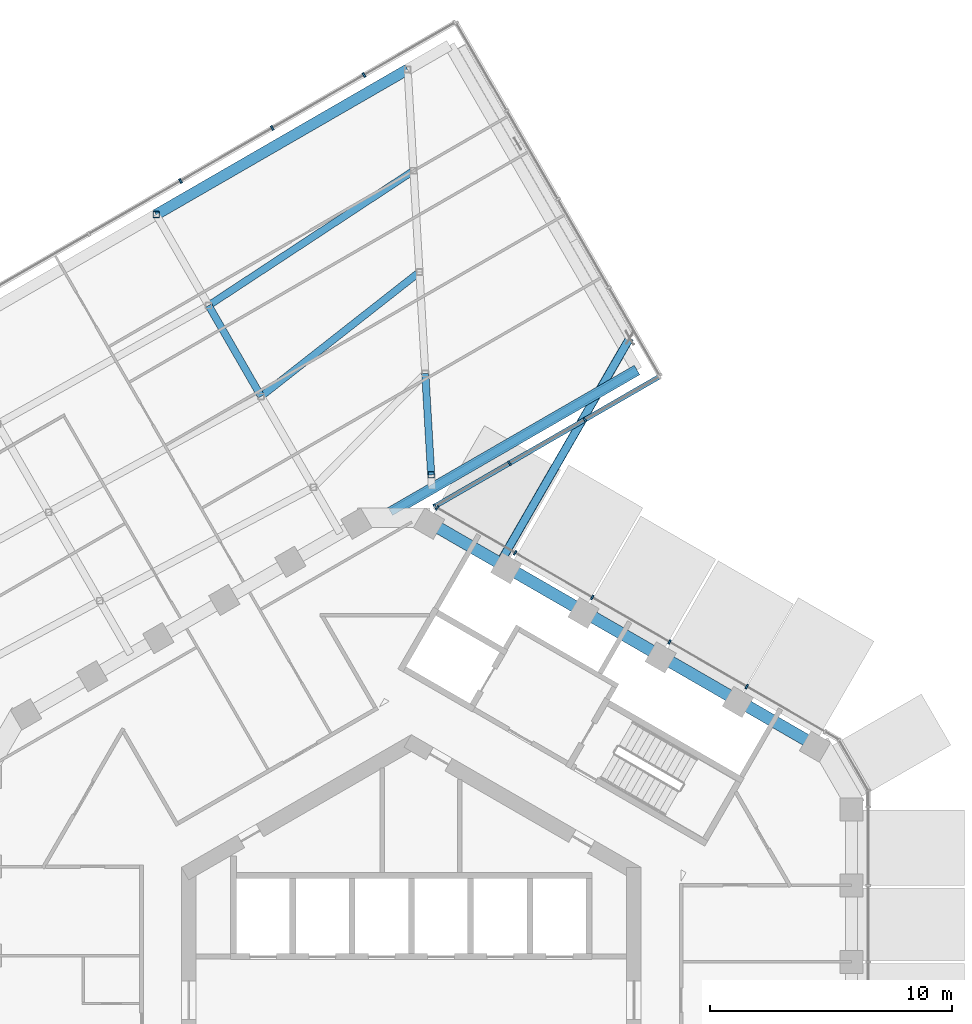
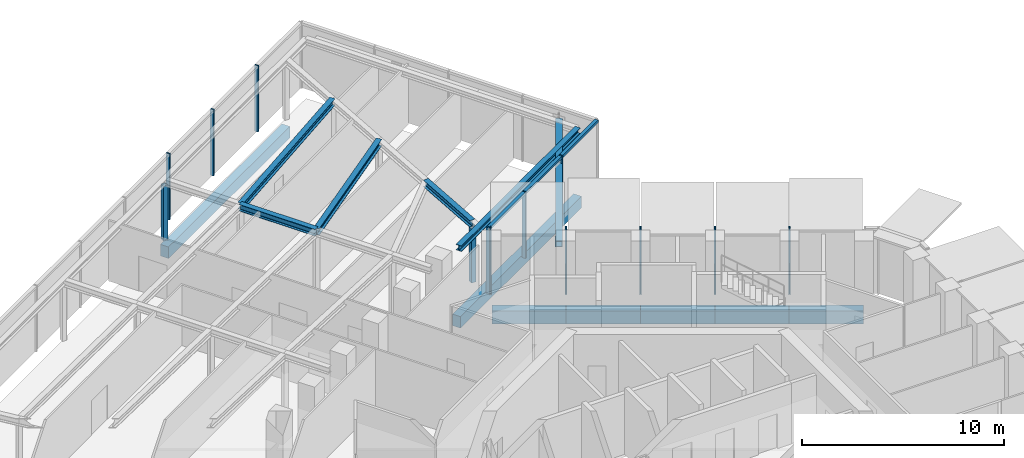
# One storey, part 8 of 27: 15 members, 12 beams, 3 elements without a shape of their own.
"""IFC4 building model written with IfcOpenShell, lengths in metres."""

from ifc_helpers import new_model, si_unit, direction, frame, origin, origin_2d, place, context, subcontext, project, spatial, rectangle, hollow_rectangle, i_section, extrude, material, layer, layer_set, material_profile, profile_set, type_object, element, aggregate, save


model = new_model("IFC4")

# Units and contexts
model_context = context("Model", 3, precision=1e-05, world=origin(), true_north=direction((0.0, 1.0)))
body_context = subcontext(model_context, "Body", "Model", "MODEL_VIEW")
ifc_project = project(units=[si_unit("LENGTHUNIT", "METRE"), si_unit("AREAUNIT", "SQUARE_METRE"), si_unit("VOLUMEUNIT", "CUBIC_METRE"), si_unit("PLANEANGLEUNIT", "RADIAN"), si_unit("MASSUNIT", "GRAM", prefix="KILO")], contexts=[model_context])

# Site, building, storey
site_placement = place(None, origin())
site = spatial("IfcSite", under=ifc_project, at=site_placement, CompositionType="ELEMENT")
building_placement = place(site_placement, origin())
building = spatial("IfcBuilding", under=site, at=building_placement, Name="Ayvan Gate Tower", CompositionType="ELEMENT")
storey_placement = place(building_placement, frame((0.0, 0.0, 194.699951171875)))
storey = spatial("IfcBuildingStorey", under=building, at=storey_placement, Name="L52", CompositionType="ELEMENT", Elevation=194.699951171875)

# Beams
ifc_material_1 = material(Name="Concrete C40/50", Category="concrete")
ifc_material_profile_1 = material_profile(ifc_material_1, rectangle(XDim=0.449951171875, YDim=0.699951171875, at=origin_2d()), Name="RC 450x700")
ifc_profile_set_1 = profile_set([ifc_material_profile_1], Name="Concrete C40/50")
beam_type_1 = type_object("IfcBeamType", Name="Sky bar edge beam RC 450x700 C40/50", PredefinedType="BEAM", material=ifc_profile_set_1)
beam_1_placement = place(storey_placement, frame((-10.54443359375, 32.463623046875, -0.75), z_axis=(0.866026010844, 0.49999894854, 0.0), x_axis=(-0.49999894854, 0.866026010844, 0.0)))
element("IfcBeam", 1, at=beam_1_placement, inside=storey, type_object=beam_type_1, Name="EB-B4-L52-6", PredefinedType="BEAM", context=body_context, shape_type="SweptSolid", body=[
    extrude(rectangle(XDim=0.449951171875, YDim=0.699951171875, at=origin_2d()), origin(), (0.0, 0.0, 1.0), 12.0),
])
beam_2_placement = place(storey_placement, frame((9.329833984375, 26.040283203125, -0.75), z_axis=(-0.86602135521, -0.50000701227, 0.0), x_axis=(0.50000701227, -0.86602135521, 0.0)))
element("IfcBeam", 2, at=beam_2_placement, inside=storey, type_object=beam_type_1, Name="EB-B4-L52-9", PredefinedType="BEAM", context=body_context, shape_type="SweptSolid", body=[
    extrude(rectangle(XDim=0.449951171875, YDim=0.699951171875, at=origin_2d()), origin(), (0.0, 0.0, 1.0), 11.981689453125),
])
ifc_material_2 = material(Name="Steel S460ML", Category="steel")
ifc_material_profile_2 = material_profile(ifc_material_2, i_section(OverallWidth=0.300048828125, OverallDepth=0.39990234375, WebThickness=0.013427734375, FlangeThickness=0.02392578125, FilletRadius=0.027099609375, at=origin_2d()), Name="HE 400 B")
ifc_profile_set_2 = profile_set([ifc_material_profile_2], Name="Steel S460ML")
beam_type_2 = type_object("IfcBeamType", Name="Sky bar roof beam B4 HE 400 B", PredefinedType="BEAM", material=ifc_profile_set_2)
beam_3_placement = place(storey_placement, frame((0.821533203125, 21.710205078125, 3.5), z_axis=(-0.058019266519, 0.998315463525, 0.0), x_axis=(-0.998315463525, -0.058019266519, 0.0)))
element("IfcBeam", 3, at=beam_3_placement, inside=storey, type_object=beam_type_2, Name="RB-B4-SBT4-1-2", PredefinedType="BEAM", context=body_context, shape_type="SweptSolid", body=[
    extrude(i_section(OverallWidth=0.300048828125, OverallDepth=0.39990234375, WebThickness=0.013427734375, FlangeThickness=0.02392578125, FilletRadius=0.027099609375, at=origin_2d()), origin(), (0.0, 0.0, 1.0), 4.1953125),
])
beam_4_placement = place(storey_placement, frame((-6.207763671875, 24.951904296875, 3.5), z_axis=(-0.49995961279, 0.866048720095, 0.0), x_axis=(-0.866048720095, -0.49995961279, 0.0)))
element("IfcBeam", 4, at=beam_4_placement, inside=storey, type_object=beam_type_2, Name="RB-B4-SBT4-2-3", PredefinedType="BEAM", context=body_context, shape_type="SweptSolid", body=[
    extrude(i_section(OverallWidth=0.300048828125, OverallDepth=0.39990234375, WebThickness=0.013427734375, FlangeThickness=0.02392578125, FilletRadius=0.027099609375, at=origin_2d()), origin(), (0.0, 0.0, 1.0), 4.336669921875),
])
beam_5_placement = place(storey_placement, frame((0.09130859375, 34.275146484375, 3.5), z_axis=(-0.835562024945, -0.549396125277, 0.0), x_axis=(0.549396125277, -0.835562024945, 0.0)))
element("IfcBeam", 5, at=beam_5_placement, inside=storey, type_object=beam_type_2, Name="RX-B4-12-2", PredefinedType="BEAM", context=body_context, shape_type="SweptSolid", body=[
    extrude(i_section(OverallWidth=0.300048828125, OverallDepth=0.39990234375, WebThickness=0.013427734375, FlangeThickness=0.02392578125, FilletRadius=0.027099609375, at=origin_2d()), origin(), (0.0, 0.0, 1.0), 10.133544921875),
])
beam_6_placement = place(storey_placement, frame((0.334716796875, 30.0869140625, 3.5), z_axis=(-0.786640112268, -0.617411802423, 0.0), x_axis=(0.617411802423, -0.786640112268, 0.0)))
element("IfcBeam", 6, at=beam_6_placement, inside=storey, type_object=beam_type_2, Name="RX-B4-12-3", PredefinedType="BEAM", context=body_context, shape_type="SweptSolid", body=[
    extrude(i_section(OverallWidth=0.300048828125, OverallDepth=0.39990234375, WebThickness=0.013427734375, FlangeThickness=0.02392578125, FilletRadius=0.027099609375, at=origin_2d()), origin(), (0.0, 0.0, 1.0), 8.31689453125),
])
ifc_material_profile_3 = material_profile(ifc_material_2, i_section(OverallWidth=0.300048828125, OverallDepth=0.340087890625, WebThickness=0.011962890625, FlangeThickness=0.021484375, FilletRadius=0.027099609375, at=origin_2d()), Name="HE 340 B")
ifc_profile_set_3 = profile_set([ifc_material_profile_3], Name="Steel S460ML")
beam_type_3 = type_object("IfcBeamType", Name="Sky bar roof edge beam B4 HE 340 B", PredefinedType="BEAM", material=ifc_profile_set_3)
beam_7_placement = place(storey_placement, frame((9.329833984375, 26.040283203125, 3.530029296875), z_axis=(-0.866019198041, -0.500010748508, 0.0), x_axis=(0.500010748508, -0.866019198041, 0.0)))
element("IfcBeam", 7, at=beam_7_placement, inside=storey, type_object=beam_type_3, Name="RE-B4-1-5", PredefinedType="BEAM", context=body_context, shape_type="SweptSolid", body=[
    extrude(i_section(OverallWidth=0.300048828125, OverallDepth=0.340087890625, WebThickness=0.011962890625, FlangeThickness=0.021484375, FilletRadius=0.027099609375, at=origin_2d()), origin(), (0.0, 0.0, 1.0), 11.753173828125),
])

# Members
ifc_material_3 = material(Name="Steel S460NH", Category="steel")
ifc_material_profile_4 = material_profile(ifc_material_3, hollow_rectangle(XDim=0.260009765625, YDim=0.260009765625, WallThickness=0.012451171875, InnerFilletRadius=0.012451171875, OuterFilletRadius=0.018798828125, at=origin_2d()), Name="RHS 260x260x12.5")
ifc_profile_set_4 = profile_set([ifc_material_profile_4], Name="Steel S460NH")
member_type_1 = type_object("IfcMemberType", Name="Sky bar roof post B4 RHS 260x260x12.5", PredefinedType="POST", material=ifc_profile_set_4)
for number, where, z_axis, x_axis, name in (
    (8, (0.821533203125, 21.710205078125, 0.0), (0.0, 0.0, 1.0), (1.0, 0.0, 0.0), "RP-B4-SBT4-1-1"),
    (9, (-10.54443359375, 32.463623046875, 0.0), (0.0, 0.0, 1.0), (1.0, 0.0, 0.0), "RP-B4-SBT4-2-4"),
):
    element("IfcMember", number, at=place(storey_placement, frame(where, z_axis=z_axis, x_axis=x_axis)), inside=storey, type_object=member_type_1, Name=name, PredefinedType="POST", context=body_context, shape_type="SweptSolid", body=[
        extrude(hollow_rectangle(XDim=0.260009765625, YDim=0.260009765625, WallThickness=0.012451171875, InnerFilletRadius=0.012451171875, OuterFilletRadius=0.018798828125, at=origin_2d()), origin(), (0.0, 0.0, 1.0), 3.300048828125),
    ])
ifc_material_profile_5 = material_profile(ifc_material_3, hollow_rectangle(XDim=0.35009765625, YDim=0.35009765625, WallThickness=0.01416015625, InnerFilletRadius=0.01416015625, OuterFilletRadius=0.021240234375, at=origin_2d()), Name="RHS 350x350x14.2")
ifc_profile_set_5 = profile_set([ifc_material_profile_5], Name="Steel S460NH")
member_type_2 = type_object("IfcMemberType", Name="Sky bar truss brace B4 RHS 350x350x14.2", PredefinedType="BRACE", material=ifc_profile_set_5)
member_1_placement = place(storey_placement, frame((3.718505859375, 18.167724609375, 3.375), z_axis=(0.499999616612, 0.866025625133, 0.0), x_axis=(-0.866025625133, 0.499999616612, 0.0)))
element("IfcMember", 10, at=member_1_placement, inside=storey, type_object=member_type_2, Name="SBX4-B-TC-1", PredefinedType="CHORD", context=body_context, shape_type="SweptSolid", body=[
    extrude(hollow_rectangle(XDim=0.35009765625, YDim=0.35009765625, WallThickness=0.01416015625, InnerFilletRadius=0.01416015625, OuterFilletRadius=0.021240234375, at=origin_2d()), origin(), (0.0, 0.0, 1.0), 10.6240234375),
])

# Beams
ifc_material_profile_6 = material_profile(ifc_material_1, rectangle(XDim=0.5, YDim=0.800048828125, at=origin_2d()), Name="RC 500x800")
ifc_profile_set_6 = profile_set([ifc_material_profile_6], Name="Concrete C40/50")
beam_type_4 = type_object("IfcBeamType", Name="Spandrel beam RC 500x800 C40/50", PredefinedType="BEAM", material=ifc_profile_set_6)
for number, where, z_axis, x_axis, name in (
    (11, (16.6865234375, 10.53564453125, -0.800048828125), (-0.866021777747, 0.500006280429, 0.0), (-0.500006280429, -0.866021777747, 0.0), "SB-L52-7"),
    (12, (13.50537109375, 12.372314453125, -0.800048828125), (-0.866021777747, 0.500006280429, 0.0), (-0.500006280429, -0.866021777747, 0.0), "SB-L52-8"),
):
    element("IfcBeam", number, at=place(storey_placement, frame(where, z_axis=z_axis, x_axis=x_axis)), inside=storey, type_object=beam_type_4, Name=name, PredefinedType="BEAM", context=body_context, shape_type="SweptSolid", body=[
        extrude(rectangle(XDim=0.5, YDim=0.800048828125, at=origin_2d()), origin(), (0.0, 0.0, 1.0), 3.67333984375),
    ])
beam_8_placement = place(storey_placement, frame((10.32421875, 14.208984375, -0.800048828125), z_axis=(-0.866050557128, 0.4999564306, 0.0), x_axis=(-0.4999564306, -0.866050557128, 0.0)))
element("IfcBeam", 13, at=beam_8_placement, inside=storey, type_object=beam_type_4, Name="SB-L52-9", PredefinedType="BEAM", context=body_context, shape_type="SweptSolid", body=[
    extrude(rectangle(XDim=0.5, YDim=0.800048828125, at=origin_2d()), origin(), (0.0, 0.0, 1.0), 3.673095703125),
])
for number, where, z_axis, x_axis, name in (
    (14, (7.14306640625, 16.04541015625, -0.800048828125), (-0.866021777747, 0.500006280429, 0.0), (-0.500006280429, -0.866021777747, 0.0), "SB-L52-10"),
    (15, (3.9619140625, 17.882080078125, -0.800048828125), (-0.866021777747, 0.500006280429, 0.0), (-0.500006280429, -0.866021777747, 0.0), "SB-L52-11"),
):
    element("IfcBeam", number, at=place(storey_placement, frame(where, z_axis=z_axis, x_axis=x_axis)), inside=storey, type_object=beam_type_4, Name=name, PredefinedType="BEAM", context=body_context, shape_type="SweptSolid", body=[
        extrude(rectangle(XDim=0.5, YDim=0.800048828125, at=origin_2d()), origin(), (0.0, 0.0, 1.0), 3.67333984375),
    ])

# Curtain wall, members
ifc_material_4 = material(Name="Bronze anodised aluminium", Category="aluminium")
ifc_layer_1 = layer(ifc_material_4, 0.199951171875)
ifc_layer_set_1 = layer_set([ifc_layer_1], Name="Bronze anodised aluminium")
curtain_wall_type_1 = type_object("IfcCurtainWallType", Name="Stick curtain wall CW-2", PredefinedType="NOTDEFINED", material=ifc_layer_set_1)
curtain_wall_1_placement = place(storey_placement, origin())
curtain_wall_1 = element("IfcCurtainWall", 16, at=curtain_wall_1_placement, inside=storey, type_object=curtain_wall_type_1, Name="Stick curtain wall CW-2 L52", PredefinedType="NOTDEFINED")
ifc_material_profile_7 = material_profile(ifc_material_4, rectangle(XDim=0.199951171875, YDim=0.070068359375, at=origin_2d()), Name="Stick curtain wall CW-2 mullion 200 x 70")
ifc_profile_set_7 = profile_set([ifc_material_profile_7], Name="Bronze anodised aluminium")
member_type_3 = type_object("IfcMemberType", Name="Stick curtain wall CW-2 mullion 200 x 70", PredefinedType="MULLION", material=ifc_profile_set_7)
member_2_placement = place(storey_placement, frame((13.86279296875, 12.958251953125, 0.0), z_axis=(0.0, 0.0, 1.0), x_axis=(0.5, 0.866025403784, 0.0)))
member_2 = element("IfcMember", 17, at=member_2_placement, type_object=member_type_3, Name="CW-2 mullion 2", PredefinedType="MULLION", context=body_context, shape_type="SweptSolid", body=[
    extrude(rectangle(XDim=0.199951171875, YDim=0.070068359375, at=origin_2d()), origin(), (0.0, 0.0, 1.0), 4.0),
])
member_3_placement = place(storey_placement, frame((10.67236328125, 14.800048828125, 0.0), z_axis=(0.0, 0.0, 1.0), x_axis=(0.5, 0.866025403784, 0.0)))
member_3 = element("IfcMember", 18, at=member_3_placement, type_object=member_type_3, Name="CW-2 mullion 3", PredefinedType="MULLION", context=body_context, shape_type="SweptSolid", body=[
    extrude(rectangle(XDim=0.199951171875, YDim=0.070068359375, at=origin_2d()), origin(), (0.0, 0.0, 1.0), 4.0),
])
member_4_placement = place(storey_placement, frame((7.48095703125, 16.642578125, 0.0), z_axis=(0.0, 0.0, 1.0), x_axis=(0.5, 0.866025403784, 0.0)))
member_4 = element("IfcMember", 19, at=member_4_placement, type_object=member_type_3, Name="CW-2 mullion 4", PredefinedType="MULLION", context=body_context, shape_type="SweptSolid", body=[
    extrude(rectangle(XDim=0.199951171875, YDim=0.070068359375, at=origin_2d()), origin(), (0.0, 0.0, 1.0), 4.0),
])
member_5_placement = place(storey_placement, frame((4.29052734375, 18.484619140625, 0.0), z_axis=(0.0, 0.0, 1.0), x_axis=(0.5, 0.866025403784, 0.0)))
member_5 = element("IfcMember", 20, at=member_5_placement, type_object=member_type_3, Name="CW-2 mullion 5", PredefinedType="MULLION", context=body_context, shape_type="SweptSolid", body=[
    extrude(rectangle(XDim=0.199951171875, YDim=0.070068359375, at=origin_2d()), origin(), (0.0, 0.0, 1.0), 4.0),
])
member_6_placement = place(storey_placement, frame((1.0673828125, 20.345458984375, 0.0), z_axis=(0.0, 0.0, 1.0), x_axis=(0.5, 0.866025403784, 0.0)))
member_6 = element("IfcMember", 21, at=member_6_placement, type_object=member_type_3, Name="CW-2 mullion 6", PredefinedType="MULLION", context=body_context, shape_type="SweptSolid", body=[
    extrude(rectangle(XDim=0.199951171875, YDim=0.070068359375, at=origin_2d()), origin(), (0.0, 0.0, 1.0), 4.0),
])
aggregate(curtain_wall_1, [member_2, member_3, member_4, member_5, member_6])

ifc_layer_2 = layer(ifc_material_4, 0.199951171875)
ifc_layer_set_2 = layer_set([ifc_layer_2], Name="Bronze anodised aluminium")
curtain_wall_type_2 = type_object("IfcCurtainWallType", Name="Stick curtain wall CW-4", PredefinedType="NOTDEFINED", material=ifc_layer_set_2)
curtain_wall_2_placement = place(storey_placement, origin())
curtain_wall_2 = element("IfcCurtainWall", 22, at=curtain_wall_2_placement, inside=storey, type_object=curtain_wall_type_2, Name="Stick curtain wall CW-4 L52", PredefinedType="NOTDEFINED")
ifc_material_profile_8 = material_profile(ifc_material_4, rectangle(XDim=0.199951171875, YDim=0.080078125, at=origin_2d()), Name="Stick curtain wall CW-4 mullion 200 x 80")
ifc_profile_set_8 = profile_set([ifc_material_profile_8], Name="Bronze anodised aluminium")
member_type_4 = type_object("IfcMemberType", Name="Stick curtain wall CW-4 mullion 200 x 80", PredefinedType="MULLION", material=ifc_profile_set_8)
member_7_placement = place(storey_placement, frame((0.975830078125, 20.40869140625, 0.0), z_axis=(0.0, 0.0, 1.0), x_axis=(0.5, -0.866025403784, 0.0)))
member_7 = element("IfcMember", 23, at=member_7_placement, type_object=member_type_4, Name="CW-4 mullion 1", PredefinedType="MULLION", context=body_context, shape_type="SweptSolid", body=[
    extrude(rectangle(XDim=0.199951171875, YDim=0.080078125, at=origin_2d()), origin(), (0.0, 0.0, 1.0), 4.0),
])
member_8_placement = place(storey_placement, frame((4.05615234375, 22.18701171875, 0.0), z_axis=(0.0, 0.0, 1.0), x_axis=(0.5, -0.866025403784, 0.0)))
member_8 = element("IfcMember", 24, at=member_8_placement, type_object=member_type_4, Name="CW-4 mullion 2", PredefinedType="MULLION", context=body_context, shape_type="SweptSolid", body=[
    extrude(rectangle(XDim=0.199951171875, YDim=0.080078125, at=origin_2d()), origin(), (0.0, 0.0, 1.0), 4.0),
])
member_9_placement = place(storey_placement, frame((7.171142578125, 23.985595703125, 0.0), z_axis=(0.0, 0.0, 1.0), x_axis=(0.5, -0.866025403784, 0.0)))
member_9 = element("IfcMember", 25, at=member_9_placement, type_object=member_type_4, Name="CW-4 mullion 3", PredefinedType="MULLION", context=body_context, shape_type="SweptSolid", body=[
    extrude(rectangle(XDim=0.199951171875, YDim=0.080078125, at=origin_2d()), origin(), (0.0, 0.0, 1.0), 4.0),
])

curtain_wall_3_placement = place(storey_placement, origin())
curtain_wall_3 = element("IfcCurtainWall", 26, at=curtain_wall_3_placement, inside=storey, type_object=curtain_wall_type_2, Name="Stick curtain wall CW-4 L52", PredefinedType="NOTDEFINED")
member_10_placement = place(storey_placement, frame((-1.955078125, 38.23095703125, 0.0), z_axis=(0.0, 0.0, 1.0), x_axis=(-0.5, 0.866025403784, 0.0)))
member_10 = element("IfcMember", 27, at=member_10_placement, type_object=member_type_4, Name="CW-4 mullion 2", PredefinedType="MULLION", context=body_context, shape_type="SweptSolid", body=[
    extrude(rectangle(XDim=0.199951171875, YDim=0.080078125, at=origin_2d()), origin(), (0.0, 0.0, 1.0), 4.0),
])
member_11_placement = place(storey_placement, frame((-5.746337890625, 36.0419921875, 0.0), z_axis=(0.0, 0.0, 1.0), x_axis=(-0.5, 0.866025403784, 0.0)))
member_11 = element("IfcMember", 28, at=member_11_placement, type_object=member_type_4, Name="CW-4 mullion 3", PredefinedType="MULLION", context=body_context, shape_type="SweptSolid", body=[
    extrude(rectangle(XDim=0.199951171875, YDim=0.080078125, at=origin_2d()), origin(), (0.0, 0.0, 1.0), 4.0),
])
member_12_placement = place(storey_placement, frame((-9.53759765625, 33.85302734375, 0.0), z_axis=(0.0, 0.0, 1.0), x_axis=(-0.5, 0.866025403784, 0.0)))
member_12 = element("IfcMember", 29, at=member_12_placement, type_object=member_type_4, Name="CW-4 mullion 4", PredefinedType="MULLION", context=body_context, shape_type="SweptSolid", body=[
    extrude(rectangle(XDim=0.199951171875, YDim=0.080078125, at=origin_2d()), origin(), (0.0, 0.0, 1.0), 4.0),
])
aggregate(curtain_wall_3, [member_10, member_11, member_12])

# Member
ifc_material_profile_9 = material_profile(ifc_material_4, rectangle(XDim=0.199951171875, YDim=0.139892578125, at=origin_2d()), Name="Stick curtain wall CW-4 transom 200 x 140")
ifc_profile_set_9 = profile_set([ifc_material_profile_9], Name="Bronze anodised aluminium")
member_type_5 = type_object("IfcMemberType", Name="Stick curtain wall CW-4 transom 200 x 140", PredefinedType="USERDEFINED", material=ifc_profile_set_9)
member_13_placement = place(storey_placement, frame((0.975830078125, 20.40869140625, 3.929931640625), z_axis=(0.866028056677, 0.499995405027, 0.0), x_axis=(-0.499995405027, 0.866028056677, 0.0)))
member_13 = element("IfcMember", 30, at=member_13_placement, type_object=member_type_5, Name="CW-4 transom 1", ObjectType="TRANSOM", PredefinedType="USERDEFINED", context=body_context, shape_type="SweptSolid", body=[
    extrude(rectangle(XDim=0.199951171875, YDim=0.139892578125, at=origin_2d()), origin(), (0.0, 0.0, 1.0), 10.71044921875),
])

aggregate(curtain_wall_2, [member_7, member_8, member_9, member_13])

save(model, "model.ifc")
